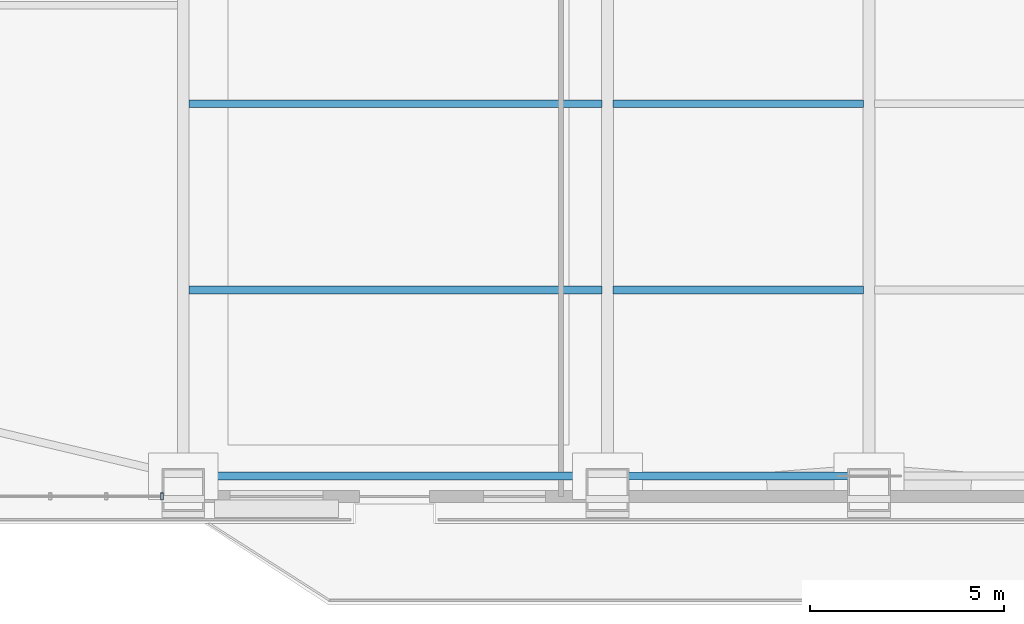
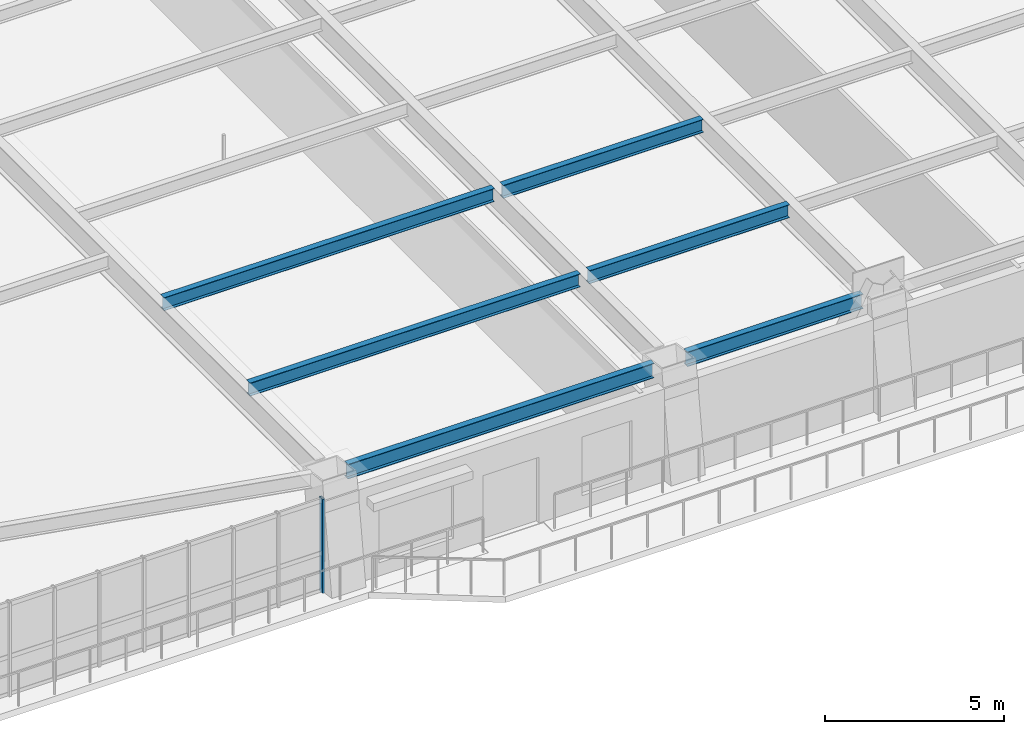
# One storey, part 4 of 17: 6 beams, 1 member, 1 element without a shape of its own.
"""IFC4 building model written with IfcOpenShell, lengths in metres."""

from ifc_helpers import new_model, si_unit, direction, frame, origin, origin_2d, place, context, subcontext, project, spatial, hollow_rectangle, i_section, extrude, source, transform, mapped, material, layer, layer_set, material_profile, profile_set, type_object, element, aggregate, save


model = new_model("IFC4")

# Units and contexts
model_context = context("Model", 3, precision=1e-05, world=origin(), true_north=direction((0.0, 1.0)))
body_context = subcontext(model_context, "Body", "Model", "MODEL_VIEW")
ifc_project = project(units=[si_unit("LENGTHUNIT", "METRE"), si_unit("AREAUNIT", "SQUARE_METRE"), si_unit("VOLUMEUNIT", "CUBIC_METRE"), si_unit("PLANEANGLEUNIT", "RADIAN"), si_unit("MASSUNIT", "GRAM", prefix="KILO")], contexts=[model_context])

# Site, building, storey
site_placement = place(None, origin())
site = spatial("IfcSite", under=ifc_project, at=site_placement, CompositionType="ELEMENT")
building_placement = place(site_placement, origin())
building = spatial("IfcBuilding", under=site, at=building_placement, Name="Giltprow Tower", CompositionType="ELEMENT")
storey_placement = place(building_placement, frame((0.0, 0.0, 33.199951171875)))
storey = spatial("IfcBuildingStorey", under=building, at=storey_placement, Name="L08", CompositionType="ELEMENT", Elevation=33.199951171875)

# Beams
ifc_material_1 = material(Name="Structural steel Q355B", Category="steel")
ifc_material_profile_1 = material_profile(ifc_material_1, i_section(OverallWidth=0.199951171875, OverallDepth=0.5, WebThickness=0.010009765625, FlangeThickness=0.01611328125, at=origin_2d()), Name="HN 500x200x10x16")
ifc_profile_set_1 = profile_set([ifc_material_profile_1], Name="Structural steel Q355B")
beam_type_1 = type_object("IfcBeamType", Name="BM-SPAN-HN500", PredefinedType="SPANDREL", material=ifc_profile_set_1)
shared_shape_1 = source(origin(), body_context, "Body", "SweptSolid", [
    extrude(i_section(OverallWidth=0.199951171875, OverallDepth=0.5, WebThickness=0.010009765625, FlangeThickness=0.01611328125, at=origin_2d()), origin(), (0.0, 0.0, 1.0), 9.8798828125),
])
beam_1_placement = place(storey_placement, frame((20.385009765625, 3.826904296875, 3.429931640625), z_axis=(1.0, 0.0, 0.0), x_axis=(0.0, 1.0, 0.0)))
element("IfcBeam", 1, at=beam_1_placement, inside=storey, type_object=beam_type_1, Name="L08 Perimeter Spandrel Beam S1-S2", PredefinedType="SPANDREL", context=body_context, shape_type="MappedRepresentation", body=[
    mapped(shared_shape_1, transform((0.0, 0.0, 0.0), x_axis=(1.0, 0.0, 0.0), y_axis=(0.0, 1.0, 0.0), z_axis=(0.0, 0.0, 1.0), scale=1.0)),
])
shared_shape_2 = source(origin(), body_context, "Body", "SweptSolid", [
    extrude(i_section(OverallWidth=0.199951171875, OverallDepth=0.5, WebThickness=0.010009765625, FlangeThickness=0.01611328125, at=origin_2d()), origin(), (0.0, 0.0, 1.0), 5.679931640625),
])
beam_2_placement = place(storey_placement, frame((31.3349609375, 3.826904296875, 3.429931640625), z_axis=(1.0, 0.0, 0.0), x_axis=(0.0, 1.0, 0.0)))
element("IfcBeam", 2, at=beam_2_placement, inside=storey, type_object=beam_type_1, Name="L08 Perimeter Spandrel Beam S2-S_MID", PredefinedType="SPANDREL", context=body_context, shape_type="MappedRepresentation", body=[
    mapped(shared_shape_2, transform((0.0, 0.0, 0.0), x_axis=(1.0, 0.0, 0.0), y_axis=(0.0, 1.0, 0.0), z_axis=(0.0, 0.0, 1.0), scale=1.0)),
])
ifc_material_profile_2 = material_profile(ifc_material_1, i_section(OverallWidth=0.199951171875, OverallDepth=0.449951171875, WebThickness=0.009033203125, FlangeThickness=0.013916015625, at=origin_2d()), Name="HN 450x200x9x14")
ifc_profile_set_2 = profile_set([ifc_material_profile_2], Name="Structural steel Q355B")
beam_type_2 = type_object("IfcBeamType", Name="BM-JOIST-HN450", PredefinedType="JOIST", material=ifc_profile_set_2)
shared_shape_3 = source(origin(), body_context, "Body", "SweptSolid", [
    extrude(i_section(OverallWidth=0.199951171875, OverallDepth=0.449951171875, WebThickness=0.009033203125, FlangeThickness=0.013916015625, at=origin_2d()), origin(), (0.0, 0.0, 1.0), 10.659912109375),
])
for number, where, z_axis, x_axis, name in (
    (3, (19.9951171875, 8.6298828125, 3.455078125), (1.0, 0.0, 0.0), (0.0, 1.0, 0.0), "L08 Composite Floor Joist 1-1"),
    (4, (19.9951171875, 13.43408203125, 3.455078125), (1.0, 0.0, 0.0), (0.0, 1.0, 0.0), "L08 Composite Floor Joist 2-1"),
):
    element("IfcBeam", number, at=place(storey_placement, frame(where, z_axis=z_axis, x_axis=x_axis)), inside=storey, type_object=beam_type_2, Name=name, PredefinedType="JOIST", context=body_context, shape_type="MappedRepresentation", body=[
        mapped(shared_shape_3, transform((0.0, 0.0, 0.0), x_axis=(1.0, 0.0, 0.0), y_axis=(0.0, 1.0, 0.0), z_axis=(0.0, 0.0, 1.0), scale=1.0)),
    ])
shared_shape_4 = source(origin(), body_context, "Body", "SweptSolid", [
    extrude(i_section(OverallWidth=0.199951171875, OverallDepth=0.449951171875, WebThickness=0.009033203125, FlangeThickness=0.013916015625, at=origin_2d()), origin(), (0.0, 0.0, 1.0), 6.4599609375),
])
for number, where, z_axis, x_axis, name in (
    (5, (30.945068359375, 8.6298828125, 3.455078125), (1.0, 0.0, 0.0), (0.0, 1.0, 0.0), "L08 Composite Floor Joist 1-2"),
    (6, (30.945068359375, 13.43408203125, 3.455078125), (1.0, 0.0, 0.0), (0.0, 1.0, 0.0), "L08 Composite Floor Joist 2-2"),
):
    element("IfcBeam", number, at=place(storey_placement, frame(where, z_axis=z_axis, x_axis=x_axis)), inside=storey, type_object=beam_type_2, Name=name, PredefinedType="JOIST", context=body_context, shape_type="MappedRepresentation", body=[
        mapped(shared_shape_4, transform((0.0, 0.0, 0.0), x_axis=(1.0, 0.0, 0.0), y_axis=(0.0, 1.0, 0.0), z_axis=(0.0, 0.0, 1.0), scale=1.0)),
    ])

# Curtain wall, member
ifc_material_2 = material(Name="Anodized bronze", Category="metal")
ifc_layer = layer(ifc_material_2, 0.179931640625, Name="Anodized bronze")
ifc_layer_set = layer_set([ifc_layer], Name="Anodized bronze")
curtain_wall_type = type_object("IfcCurtainWallType", Name="CW-OFF-RECESSED", PredefinedType="NOTDEFINED", material=ifc_layer_set)
curtain_wall_placement = place(storey_placement, origin())
curtain_wall = element("IfcCurtainWall", 7, at=curtain_wall_placement, inside=storey, type_object=curtain_wall_type, Name="L08 South Recessed Curtain Wall 1", PredefinedType="NOTDEFINED")
ifc_material_profile_3 = material_profile(ifc_material_2, hollow_rectangle(XDim=0.074951171875, YDim=0.179931640625, WallThickness=0.008056640625, at=origin_2d()), Name="RHS 180x75x8")
ifc_profile_set_3 = profile_set([ifc_material_profile_3], Name="Anodized bronze")
member_type = type_object("IfcMemberType", Name="CW-MULLION-180x75", PredefinedType="MULLION", material=ifc_profile_set_3)
shared_shape_5 = source(origin(), body_context, "Body", "SweptSolid", [
    extrude(hollow_rectangle(XDim=0.074951171875, YDim=0.179931640625, WallThickness=0.008056640625, at=origin_2d()), origin(), (0.0, 0.0, 1.0), 3.215087890625),
])
member_placement = place(storey_placement, frame((19.300048828125, 3.300048828125, -0.02001953125), z_axis=(0.0, 0.0, 1.0), x_axis=(1.0, 0.0, 0.0)))
member = element("IfcMember", 8, at=member_placement, type_object=member_type, Name="L08 South Recessed Curtain Wall 1 Mullion 10", PredefinedType="MULLION", context=body_context, shape_type="MappedRepresentation", body=[
    mapped(shared_shape_5, transform((0.0, 0.0, 0.0), x_axis=(1.0, 0.0, 0.0), y_axis=(0.0, 1.0, 0.0), z_axis=(0.0, 0.0, 1.0), scale=1.0)),
])
aggregate(curtain_wall, [member])

save(model, "model.ifc")
